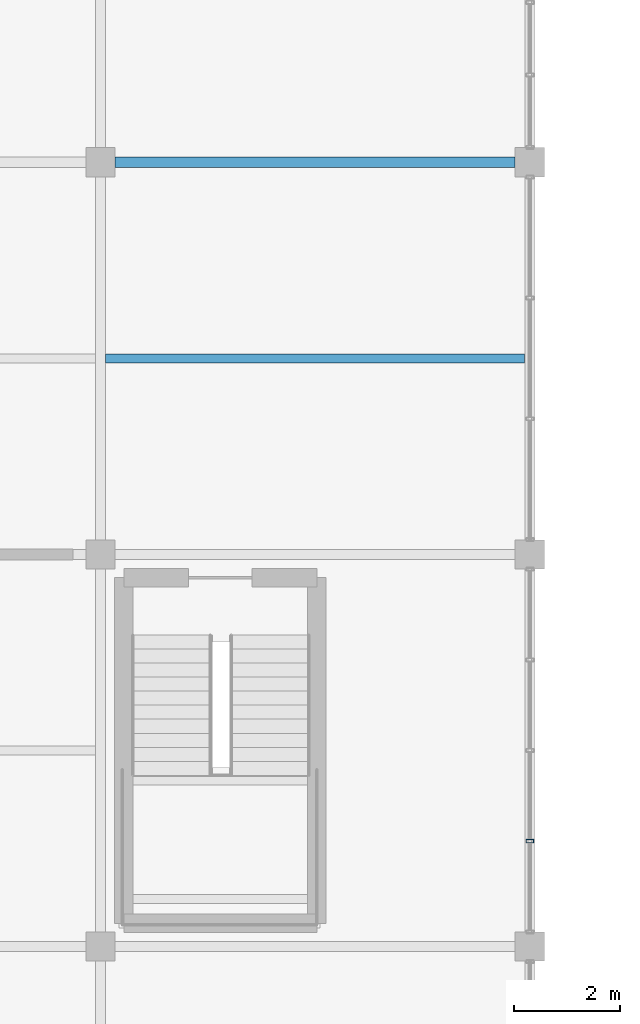
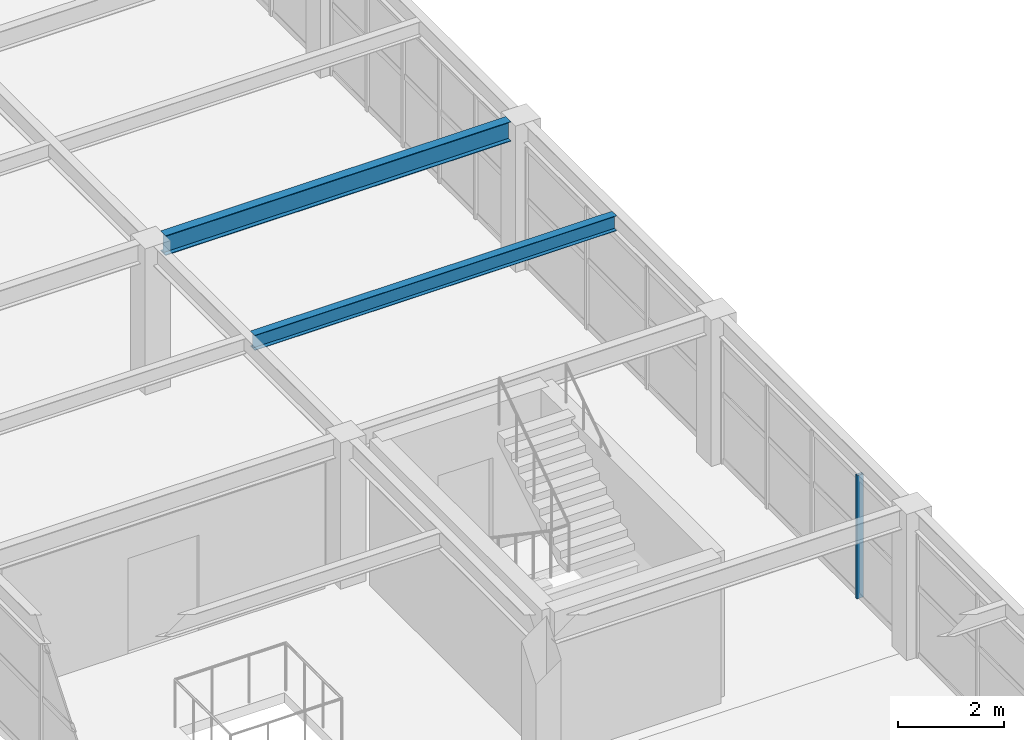
# One storey, part 22 of 93: 2 beams, 1 member, 1 element without a shape of its own.
"""IFC4 building model written with IfcOpenShell, lengths in metres."""

import ifcopenshell
import ifcopenshell.guid

model = None  # the IFC model being written
_history = None  # IfcOwnerHistory: only IFC2X3 demands one
_inside = {}  # id of a spatial element -> (the spatial element, [elements in it])
_under = {}  # id of a project, library or spatial element -> (it, [spatial elements below it])
_declared = {}  # id of a project -> (the project, [libraries it declares])
_typed = {}  # id of a type object -> (the type object, [elements of that type])
_made_of = {}  # id of a material, layer set ... -> (it, [elements and type objects made of it])


def new_model(schema):
    """Start an empty IFC model of exactly this schema.

    Asked for "IFC4X3", IfcOpenShell would pick the latest addendum, in which some entities
    have other attributes; the version numbers below select the first issue.
    IFC2X3 requires an IfcOwnerHistory on every rooted entity: one is made here for all.
    """
    global model, _history
    if schema == "IFC4X3":
        model = ifcopenshell.file(schema_version=(4, 3, 0, 0))
    else:
        model = ifcopenshell.file(schema=schema)
    _inside.clear()
    _under.clear()
    _declared.clear()
    _typed.clear()
    _made_of.clear()
    _history = None
    if model.schema == "IFC2X3":
        org = make("IfcOrganization", Name="unknown")
        user = make(
            "IfcPersonAndOrganization",
            ThePerson=make("IfcPerson", FamilyName="unknown"),
            TheOrganization=org,
        )
        app = make(
            "IfcApplication",
            ApplicationDeveloper=org,
            Version="unknown",
            ApplicationFullName="unknown",
            ApplicationIdentifier="unknown",
        )
        _history = make(
            "IfcOwnerHistory",
            OwningUser=user,
            OwningApplication=app,
            ChangeAction="ADDED",
            CreationDate=0,
        )
    return model


def make(cls, **values):
    """One entity of the class cls with the attributes given. An attribute that is None is left unset."""
    return model.create_entity(
        cls, **{name: value for name, value in values.items() if value is not None}
    )


def rooted(cls, **values):
    """An entity with a GlobalId (a new one), such as an element, a storey or a relation."""
    return make(cls, GlobalId=ifcopenshell.guid.new(), OwnerHistory=_history, **values)


def si_unit(unit_type, name, prefix=None):
    """IfcSIUnit, for example si_unit("LENGTHUNIT", "METRE", prefix="MILLI")."""
    return make("IfcSIUnit", UnitType=unit_type, Prefix=prefix, Name=name)


def assignment(units):
    """IfcUnitAssignment: the units of a project."""
    return None if units is None else make("IfcUnitAssignment", Units=units)


def point(xyz):
    """IfcCartesianPoint."""
    return None if xyz is None else make("IfcCartesianPoint", Coordinates=xyz)


def direction(xyz):
    """IfcDirection."""
    return None if xyz is None else make("IfcDirection", DirectionRatios=xyz)


def frame(location, z_axis=None, x_axis=None):
    """IfcAxis2Placement3D, a coordinate frame: its origin and axes. An axis left out is left unset."""
    return make(
        "IfcAxis2Placement3D",
        Location=point(location),
        Axis=direction(z_axis),
        RefDirection=direction(x_axis),
    )


def frame_2d(location, x_axis=None):
    """IfcAxis2Placement2D, a coordinate frame in the plane: its origin and x axis."""
    return make(
        "IfcAxis2Placement2D", Location=point(location), RefDirection=direction(x_axis)
    )


def origin():
    """The frame at (0, 0, 0) with its axes left unset."""
    return frame((0.0, 0.0, 0.0))


def origin_2d():
    """The frame at (0, 0) in the plane with its x axis left unset."""
    return frame_2d((0.0, 0.0))


def place(relative_to, where):
    """IfcLocalPlacement: puts the frame where relative to a parent placement (None: the world)."""
    return make(
        "IfcLocalPlacement", PlacementRelTo=relative_to, RelativePlacement=where
    )


def context(
    kind, dimensions, precision=None, world=None, true_north=None, identifier=None
):
    """IfcGeometricRepresentationContext, for example the 3D "Model" context."""
    return make(
        "IfcGeometricRepresentationContext",
        ContextIdentifier=identifier,
        ContextType=kind,
        CoordinateSpaceDimension=dimensions,
        Precision=precision,
        WorldCoordinateSystem=world,
        TrueNorth=true_north,
    )


def subcontext(parent, identifier, kind, view, scale=None):
    """IfcGeometricRepresentationSubContext, for example "Body" below "Model"."""
    return make(
        "IfcGeometricRepresentationSubContext",
        ContextIdentifier=identifier,
        ContextType=kind,
        ParentContext=parent,
        TargetScale=scale,
        TargetView=view,
    )


def project(units=None, contexts=None):
    """IfcProject with its units and contexts."""
    return rooted(
        "IfcProject",
        Name="project",
        RepresentationContexts=contexts,
        UnitsInContext=assignment(units),
    )


def spatial(cls, under=None, at=None, **own):
    """A site, building, storey or space (cls), placed at a placement, below another one or the project."""
    s = rooted(cls, ObjectPlacement=at, **own)
    if under is not None:
        _under.setdefault(under.id(), (under, []))[1].append(s)
    return s


def profile(cls, at=None, kind="AREA", **sizes):
    """A parametric profile (cls). Its sizes go by their IFC names, for example OverallWidth=200.0."""
    return make(cls, ProfileType=kind, Position=at, **sizes)


def hollow_rectangle(**sizes):
    """IfcRectangleHollowProfileDef."""
    return profile("IfcRectangleHollowProfileDef", **sizes)


def i_section(**sizes):
    """IfcIShapeProfileDef."""
    return profile("IfcIShapeProfileDef", **sizes)


def extrude(swept, where, along, depth):
    """IfcExtrudedAreaSolid: the profile swept, set in the frame where, extruded along a direction by depth."""
    return make(
        "IfcExtrudedAreaSolid",
        SweptArea=swept,
        Position=where,
        ExtrudedDirection=direction(along),
        Depth=depth,
    )


def shape(context_of_items, identifier, shape_type, items):
    """IfcShapeRepresentation: the items that make up one representation, for example the "Body"."""
    return make(
        "IfcShapeRepresentation",
        ContextOfItems=context_of_items,
        RepresentationIdentifier=identifier,
        RepresentationType=shape_type,
        Items=items,
    )


def material(Name=None, Category=None):
    """IfcMaterial."""
    return make("IfcMaterial", Name=Name, Category=Category)


def material_profile(
    of_material, cross_section, Name=None, Category=None, Priority=None
):
    """IfcMaterialProfile: a cross section and its material."""
    return make(
        "IfcMaterialProfile",
        Name=Name,
        Material=of_material,
        Profile=cross_section,
        Priority=Priority,
        Category=Category,
    )


def profile_set(profiles, Name=None, composite=None):
    """IfcMaterialProfileSet."""
    return make(
        "IfcMaterialProfileSet",
        Name=Name,
        MaterialProfiles=profiles,
        CompositeProfile=composite,
    )


def made_of(thing, what):
    """Note that an element or type object is made of a material, layer set ...; save() writes the relation."""
    if what is not None:
        _made_of.setdefault(what.id(), (what, []))[1].append(thing)
    return thing


def type_object(cls, material=None, **own):
    """A type object (cls), such as IfcWallType, which elements share."""
    return made_of(rooted(cls, **own), material)


def element(
    cls,
    number,
    at=None,
    inside=None,
    cuts=None,
    type_object=None,
    material=None,
    context=None,
    identifier="Body",
    shape_type=None,
    held_by="IfcProductDefinitionShape",
    body=None,
    shapes=None,
    **own,
):
    """One element of the class cls, such as IfcWall. Its Tag is "e" and its number.

    at: its placement. inside: the storey or other place that contains it. cuts: it is an
    opening in that element (IfcRelVoidsElement). A single representation is given by context,
    identifier, shape_type and body (its items); several are given by shapes. held_by: the class
    of the entity that holds the representations. save() writes the other relations.
    """
    e = rooted(cls, Tag="e%d" % number, ObjectPlacement=at, **own)
    if body is not None:
        shapes = [shape(context, identifier, shape_type, body)]
    if shapes is not None:
        e.Representation = make(held_by, Representations=shapes)
    if inside is not None:
        _inside.setdefault(inside.id(), (inside, []))[1].append(e)
    if cuts is not None:
        rooted(
            "IfcRelVoidsElement", RelatingBuildingElement=cuts, RelatedOpeningElement=e
        )
    if type_object is not None:
        _typed.setdefault(type_object.id(), (type_object, []))[1].append(e)
    return made_of(e, material)


def aggregate(whole, parts):
    """IfcRelAggregates: a whole, such as a stair, and the parts it consists of."""
    return rooted("IfcRelAggregates", RelatingObject=whole, RelatedObjects=parts)


def save(model, path):
    """Write the relations noted so far, then the file.

    IfcRelAggregates (storeys below a building ...), IfcRelContainedInSpatialStructure (elements
    in a storey), IfcRelDefinesByType, IfcRelAssociatesMaterial and IfcRelDeclares: one each for
    every whole, place, type object, material and project.
    """
    for whole, parts in _under.values():
        aggregate(whole, parts)
    for where, things in _inside.values():
        rooted(
            "IfcRelContainedInSpatialStructure",
            RelatedElements=things,
            RelatingStructure=where,
        )
    for kind, things in _typed.values():
        rooted("IfcRelDefinesByType", RelatedObjects=things, RelatingType=kind)
    for what, things in _made_of.values():
        rooted("IfcRelAssociatesMaterial", RelatedObjects=things, RelatingMaterial=what)
    for by, libraries in _declared.values():
        rooted("IfcRelDeclares", RelatingContext=by, RelatedDefinitions=libraries)
    model.write(path)


model = new_model("IFC4")

# Units and contexts
model_context = context("Model", 3, precision=1e-05, world=origin(), true_north=direction((0.0, 1.0)))
body_context = subcontext(model_context, "Body", "Model", "MODEL_VIEW")
ifc_project = project(units=[si_unit("LENGTHUNIT", "METRE"), si_unit("AREAUNIT", "SQUARE_METRE"), si_unit("VOLUMEUNIT", "CUBIC_METRE"), si_unit("PLANEANGLEUNIT", "RADIAN"), si_unit("MASSUNIT", "GRAM", prefix="KILO")], contexts=[model_context])

# Site, building, storey
site_placement = place(None, origin())
site = spatial("IfcSite", under=ifc_project, at=site_placement, CompositionType="ELEMENT")
building_placement = place(site_placement, origin())
building = spatial("IfcBuilding", under=site, at=building_placement, Name="Cimatlan Art Gallery", CompositionType="ELEMENT")
storey_placement = place(building_placement, frame((0.0, 0.0, 13.800048828125)))
storey = spatial("IfcBuildingStorey", under=building, at=storey_placement, Name="L03", CompositionType="ELEMENT", Elevation=13.800048828125)

# Beams
ifc_material_1 = material(Name="Steel ASTM A992 Grade 50", Category="steel")
ifc_material_profile_1 = material_profile(ifc_material_1, i_section(OverallWidth=0.1708984375, OverallDepth=0.35107421875, WebThickness=0.0068359375, FlangeThickness=0.009765625, at=origin_2d()), Name="W14X30")
ifc_profile_set_1 = profile_set([ifc_material_profile_1], Name="Steel ASTM A992 Grade 50")
beam_type_1 = type_object("IfcBeamType", Name="BM-STL-W14X30", PredefinedType="JOIST", material=ifc_profile_set_1)
beam_1_placement = place(storey_placement, frame((42.595458984375, 64.60009765625, 3.204345703125), z_axis=(1.0, 0.0, 0.0), x_axis=(0.0, 1.0, 0.0)))
element("IfcBeam", 1, at=beam_1_placement, inside=storey, type_object=beam_type_1, Name="JST-L03-05-08", PredefinedType="JOIST", context=body_context, shape_type="SweptSolid", body=[
    extrude(i_section(OverallWidth=0.1708984375, OverallDepth=0.35107421875, WebThickness=0.0068359375, FlangeThickness=0.009765625, at=origin_2d()), origin(), (0.0, 0.0, 1.0), 7.908935546875),
])
ifc_material_profile_2 = material_profile(ifc_material_1, i_section(OverallWidth=0.19091796875, OverallDepth=0.45703125, WebThickness=0.009033203125, FlangeThickness=0.014404296875, at=origin_2d()), Name="W18X50")
ifc_profile_set_2 = profile_set([ifc_material_profile_2], Name="Steel ASTM A992 Grade 50")
beam_type_2 = type_object("IfcBeamType", Name="BM-STL-W18X50", PredefinedType="BEAM", material=ifc_profile_set_2)
beam_2_placement = place(storey_placement, frame((42.77490234375, 68.300048828125, 3.1513671875), z_axis=(1.0, 0.0, 0.0), x_axis=(0.0, 1.0, 0.0)))
element("IfcBeam", 2, at=beam_2_placement, inside=storey, type_object=beam_type_2, Name="BM-X-L03-05-09", PredefinedType="BEAM", context=body_context, shape_type="SweptSolid", body=[
    extrude(i_section(OverallWidth=0.19091796875, OverallDepth=0.45703125, WebThickness=0.009033203125, FlangeThickness=0.014404296875, at=origin_2d()), origin(), (0.0, 0.0, 1.0), 7.550048828125),
])

# Curtain wall, member
ifc_material_2 = material(Name="Anodised bronze unitised curtain wall")
curtain_wall_type = type_object("IfcCurtainWallType", Name="CW-V-06842X02848-B4", PredefinedType="NOTDEFINED", material=ifc_material_2)
curtain_wall_placement = place(storey_placement, origin())
curtain_wall = element("IfcCurtainWall", 3, at=curtain_wall_placement, inside=storey, type_object=curtain_wall_type, Name="CW-L03-05-07-E", PredefinedType="NOTDEFINED")
ifc_material_3 = material(Name="Anodised bronze aluminium 6063-T6", Category="aluminium")
ifc_material_profile_3 = material_profile(ifc_material_3, hollow_rectangle(XDim=0.06494140625, YDim=0.139892578125, WallThickness=0.00390625, at=origin_2d()), Name="ALU65X140X4")
ifc_profile_set_3 = profile_set([ifc_material_profile_3], Name="Anodised bronze aluminium 6063-T6")
member_type = type_object("IfcMemberType", Name="CW-MUL-140", PredefinedType="MULLION", material=ifc_profile_set_3)
member_placement = place(storey_placement, frame((50.60009765625, 55.489501953125, 0.0), z_axis=(0.0, 0.0, 1.0), x_axis=(0.0, 1.0, 0.0)))
member = element("IfcMember", 4, at=member_placement, type_object=member_type, Name="CW-L03-05-07-E-M4", PredefinedType="MULLION", context=body_context, shape_type="SweptSolid", body=[
    extrude(hollow_rectangle(XDim=0.06494140625, YDim=0.139892578125, WallThickness=0.00390625, at=origin_2d()), origin(), (0.0, 0.0, 1.0), 2.847900390625),
])
aggregate(curtain_wall, [member])

save(model, "model.ifc")
